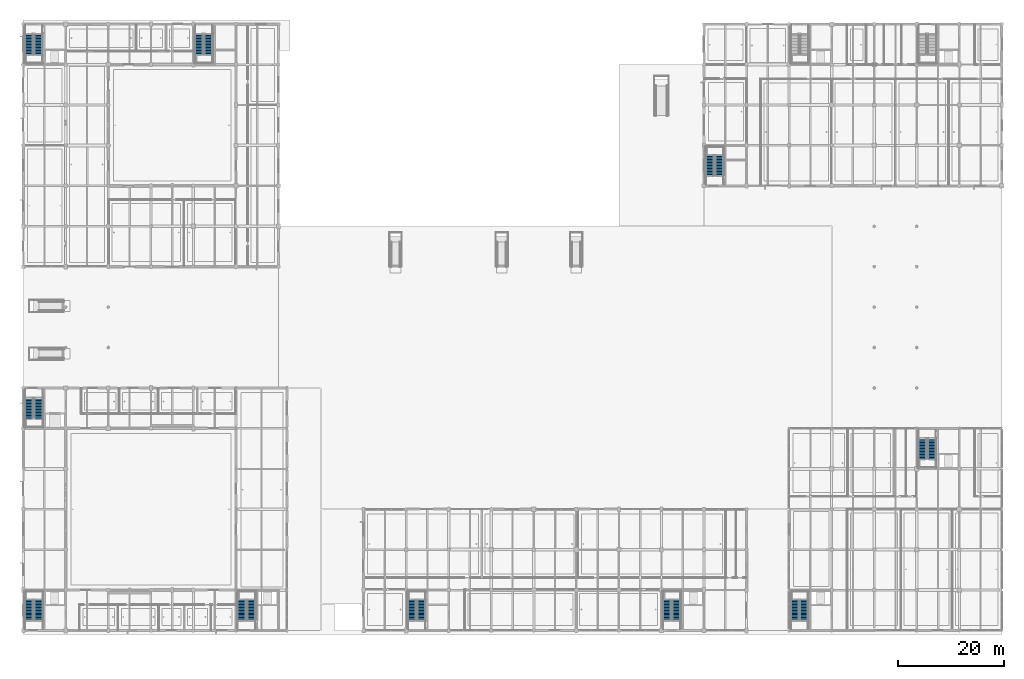
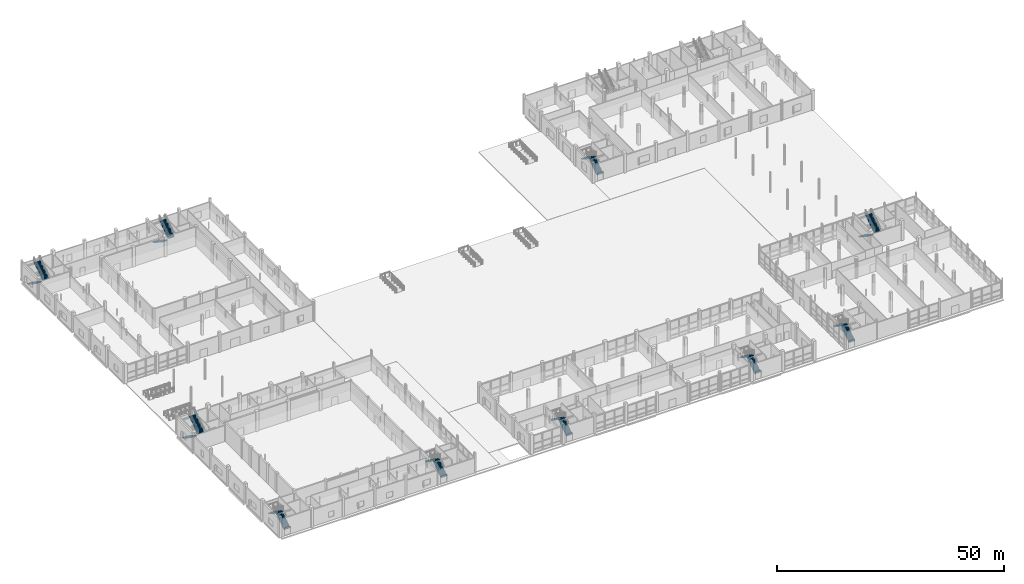
# One storey, part 72 of 126: 20 stair flights, 10 elements without a shape of their own.
"""IFC4 building model written with IfcOpenShell, lengths in metres."""

from ifc_helpers import new_model, si_unit, direction, frame, origin, place, context, subcontext, project, spatial, polyline, outline, extrude, material, type_object, element, aggregate, save


model = new_model("IFC4")

# Units and contexts
model_context = context("Model", 3, precision=1e-05, world=origin(), true_north=direction((0.0, 1.0)))
body_context = subcontext(model_context, "Body", "Model", "MODEL_VIEW")
ifc_project = project(units=[si_unit("LENGTHUNIT", "METRE"), si_unit("AREAUNIT", "SQUARE_METRE"), si_unit("VOLUMEUNIT", "CUBIC_METRE"), si_unit("PLANEANGLEUNIT", "RADIAN"), si_unit("MASSUNIT", "GRAM", prefix="KILO")], contexts=[model_context])

# Site, building, storey
site_placement = place(None, origin())
site = spatial("IfcSite", under=ifc_project, at=site_placement, CompositionType="ELEMENT")
building_placement = place(site_placement, origin())
building = spatial("IfcBuilding", under=site, at=building_placement, Name="Khelvaren Railside Concert Hall", CompositionType="ELEMENT")
storey_placement = place(building_placement, origin())
storey = spatial("IfcBuildingStorey", under=building, at=storey_placement, Name="L00", CompositionType="ELEMENT", Elevation=0.0)

# Stair, stair flights
ifc_material = material(Name="Concrete C40/50", Category="concrete")
stair_type_1 = type_object("IfcStairType", Name="ST11", PredefinedType="HALF_TURN_STAIR", material=ifc_material)
stair_1_placement = place(storey_placement, origin())
stair_1 = element("IfcStair", 1, at=stair_1_placement, inside=storey, type_object=stair_type_1, Name="L00 Core Exit Stair ST-03", PredefinedType="HALF_TURN_STAIR")
stair_flight_type_1 = type_object("IfcStairFlightType", Name="STF11", PredefinedType="STRAIGHT", material=ifc_material)
stair_flight_1_placement = place(storey_placement, frame((146.840087890625, 1.840087890625, 0.0), z_axis=(0.0, 0.0, 1.0), x_axis=(0.0, 1.0, 0.0)))
stair_flight_1 = element("IfcStairFlight", 2, at=stair_flight_1_placement, type_object=stair_flight_type_1, Name="ST-03 flight 1", NumberOfRisers=15, NumberOfTreads=14, PredefinedType="STRAIGHT", RiserHeight=0.18, TreadLength=0.28, context=body_context, shape_type="SweptSolid", body=[
    extrude(outline(polyline([(0.0, 0.0), (0.0, 0.179931640625), (0.280029296875, 0.179931640625), (0.280029296875, 0.360107421875), (0.56005859375, 0.360107421875), (0.56005859375, 0.5400390625), (0.840087890625, 0.5400390625), (0.840087890625, 0.719970703125), (1.1201171875, 0.719970703125), (1.1201171875, 0.89990234375), (1.39990234375, 0.89990234375), (1.39990234375, 1.080078125), (1.679931640625, 1.080078125), (1.679931640625, 1.260009765625), (1.9599609375, 1.260009765625), (1.9599609375, 1.43994140625), (2.239990234375, 1.43994140625), (2.239990234375, 1.6201171875), (2.52001953125, 1.6201171875), (2.52001953125, 1.800048828125), (2.800048828125, 1.800048828125), (2.800048828125, 1.97998046875), (3.080078125, 1.97998046875), (3.080078125, 2.159912109375), (3.360107421875, 2.159912109375), (3.360107421875, 2.340087890625), (3.639892578125, 2.340087890625), (3.639892578125, 2.52001953125), (3.919921875, 2.52001953125), (3.919921875, 2.699951171875), (3.919921875, 2.341796875), (0.277099609375, 0.0), (0.0, 0.0)])), frame((0.0, 0.780029296875, 0.0), z_axis=(0.0, -1.0, 0.0), x_axis=(1.0, 0.0, 0.0)), (0.0, 0.0, 1.0), 1.56005859375),
])
stair_flight_2_placement = place(storey_placement, frame((145.080078125, 5.760009765625, 2.699951171875), z_axis=(0.0, 0.0, 1.0), x_axis=(0.0, -1.0, 0.0)))
stair_flight_2 = element("IfcStairFlight", 3, at=stair_flight_2_placement, type_object=stair_flight_type_1, Name="ST-03 flight 2", NumberOfRisers=15, NumberOfTreads=14, PredefinedType="STRAIGHT", RiserHeight=0.18, TreadLength=0.28, context=body_context, shape_type="SweptSolid", body=[
    extrude(outline(polyline([(0.0, 0.0), (0.0, 0.179931640625), (0.280029296875, 0.179931640625), (0.280029296875, 0.360107421875), (0.56005859375, 0.360107421875), (0.56005859375, 0.5400390625), (0.840087890625, 0.5400390625), (0.840087890625, 0.719970703125), (1.1201171875, 0.719970703125), (1.1201171875, 0.89990234375), (1.39990234375, 0.89990234375), (1.39990234375, 1.080078125), (1.679931640625, 1.080078125), (1.679931640625, 1.260009765625), (1.9599609375, 1.260009765625), (1.9599609375, 1.43994140625), (2.239990234375, 1.43994140625), (2.239990234375, 1.6201171875), (2.52001953125, 1.6201171875), (2.52001953125, 1.800048828125), (2.800048828125, 1.800048828125), (2.800048828125, 1.97998046875), (3.080078125, 1.97998046875), (3.080078125, 2.159912109375), (3.360107421875, 2.159912109375), (3.360107421875, 2.340087890625), (3.639892578125, 2.340087890625), (3.639892578125, 2.52001953125), (3.919921875, 2.52001953125), (3.919921875, 2.699951171875), (3.919921875, 2.341796875), (0.277099609375, 0.0), (0.0, 0.0)])), frame((0.0, 0.780029296875, 0.0), z_axis=(0.0, -1.0, 0.0), x_axis=(1.0, 0.0, 0.0)), (0.0, 0.0, 1.0), 1.56005859375),
])
aggregate(stair_1, [stair_flight_1, stair_flight_2])

stair_2_placement = place(storey_placement, origin())
stair_2 = element("IfcStair", 4, at=stair_2_placement, inside=storey, type_object=stair_type_1, Name="L00 Core Exit Stair ST-04", PredefinedType="HALF_TURN_STAIR")
stair_flight_3_placement = place(storey_placement, frame((169.080078125, 36.159912109375, 0.0), z_axis=(0.0, 0.0, 1.0), x_axis=(0.0, -1.0, 0.0)))
stair_flight_3 = element("IfcStairFlight", 5, at=stair_flight_3_placement, type_object=stair_flight_type_1, Name="ST-04 flight 1", NumberOfRisers=15, NumberOfTreads=14, PredefinedType="STRAIGHT", RiserHeight=0.18, TreadLength=0.28, context=body_context, shape_type="SweptSolid", body=[
    extrude(outline(polyline([(0.0, 0.0), (0.0, 0.179931640625), (0.280029296875, 0.179931640625), (0.280029296875, 0.360107421875), (0.56005859375, 0.360107421875), (0.56005859375, 0.5400390625), (0.840087890625, 0.5400390625), (0.840087890625, 0.719970703125), (1.1201171875, 0.719970703125), (1.1201171875, 0.89990234375), (1.39990234375, 0.89990234375), (1.39990234375, 1.080078125), (1.679931640625, 1.080078125), (1.679931640625, 1.260009765625), (1.9599609375, 1.260009765625), (1.9599609375, 1.43994140625), (2.239990234375, 1.43994140625), (2.239990234375, 1.6201171875), (2.52001953125, 1.6201171875), (2.52001953125, 1.800048828125), (2.800048828125, 1.800048828125), (2.800048828125, 1.97998046875), (3.080078125, 1.97998046875), (3.080078125, 2.159912109375), (3.360107421875, 2.159912109375), (3.360107421875, 2.340087890625), (3.639892578125, 2.340087890625), (3.639892578125, 2.52001953125), (3.919921875, 2.52001953125), (3.919921875, 2.699951171875), (3.919921875, 2.341796875), (0.277099609375, 0.0), (0.0, 0.0)])), frame((0.0, 0.780029296875, 0.0), z_axis=(0.0, -1.0, 0.0), x_axis=(1.0, 0.0, 0.0)), (0.0, 0.0, 1.0), 1.56005859375),
])
stair_flight_4_placement = place(storey_placement, frame((170.840087890625, 32.239990234375, 2.699951171875), z_axis=(0.0, 0.0, 1.0), x_axis=(0.0, 1.0, 0.0)))
stair_flight_4 = element("IfcStairFlight", 6, at=stair_flight_4_placement, type_object=stair_flight_type_1, Name="ST-04 flight 2", NumberOfRisers=15, NumberOfTreads=14, PredefinedType="STRAIGHT", RiserHeight=0.18, TreadLength=0.28, context=body_context, shape_type="SweptSolid", body=[
    extrude(outline(polyline([(0.0, 0.0), (0.0, 0.179931640625), (0.280029296875, 0.179931640625), (0.280029296875, 0.360107421875), (0.56005859375, 0.360107421875), (0.56005859375, 0.5400390625), (0.840087890625, 0.5400390625), (0.840087890625, 0.719970703125), (1.1201171875, 0.719970703125), (1.1201171875, 0.89990234375), (1.39990234375, 0.89990234375), (1.39990234375, 1.080078125), (1.679931640625, 1.080078125), (1.679931640625, 1.260009765625), (1.9599609375, 1.260009765625), (1.9599609375, 1.43994140625), (2.239990234375, 1.43994140625), (2.239990234375, 1.6201171875), (2.52001953125, 1.6201171875), (2.52001953125, 1.800048828125), (2.800048828125, 1.800048828125), (2.800048828125, 1.97998046875), (3.080078125, 1.97998046875), (3.080078125, 2.159912109375), (3.360107421875, 2.159912109375), (3.360107421875, 2.340087890625), (3.639892578125, 2.340087890625), (3.639892578125, 2.52001953125), (3.919921875, 2.52001953125), (3.919921875, 2.699951171875), (3.919921875, 2.341796875), (0.277099609375, 0.0), (0.0, 0.0)])), frame((0.0, 0.780029296875, 0.0), z_axis=(0.0, -1.0, 0.0), x_axis=(1.0, 0.0, 0.0)), (0.0, 0.0, 1.0), 1.56005859375),
])
aggregate(stair_2, [stair_flight_3, stair_flight_4])

stair_3_placement = place(storey_placement, origin())
stair_3 = element("IfcStair", 7, at=stair_3_placement, inside=storey, type_object=stair_type_1, Name="L00 Core Exit Stair ST-05", PredefinedType="HALF_TURN_STAIR")
stair_flight_5_placement = place(storey_placement, frame((74.840087890625, 1.840087890625, 0.0), z_axis=(0.0, 0.0, 1.0), x_axis=(0.0, 1.0, 0.0)))
stair_flight_5 = element("IfcStairFlight", 8, at=stair_flight_5_placement, type_object=stair_flight_type_1, Name="ST-05 flight 1", NumberOfRisers=15, NumberOfTreads=14, PredefinedType="STRAIGHT", RiserHeight=0.18, TreadLength=0.28, context=body_context, shape_type="SweptSolid", body=[
    extrude(outline(polyline([(0.0, 0.0), (0.0, 0.179931640625), (0.280029296875, 0.179931640625), (0.280029296875, 0.360107421875), (0.56005859375, 0.360107421875), (0.56005859375, 0.5400390625), (0.840087890625, 0.5400390625), (0.840087890625, 0.719970703125), (1.1201171875, 0.719970703125), (1.1201171875, 0.89990234375), (1.39990234375, 0.89990234375), (1.39990234375, 1.080078125), (1.679931640625, 1.080078125), (1.679931640625, 1.260009765625), (1.9599609375, 1.260009765625), (1.9599609375, 1.43994140625), (2.239990234375, 1.43994140625), (2.239990234375, 1.6201171875), (2.52001953125, 1.6201171875), (2.52001953125, 1.800048828125), (2.800048828125, 1.800048828125), (2.800048828125, 1.97998046875), (3.080078125, 1.97998046875), (3.080078125, 2.159912109375), (3.360107421875, 2.159912109375), (3.360107421875, 2.340087890625), (3.639892578125, 2.340087890625), (3.639892578125, 2.52001953125), (3.919921875, 2.52001953125), (3.919921875, 2.699951171875), (3.919921875, 2.341796875), (0.277099609375, 0.0), (0.0, 0.0)])), frame((0.0, 0.780029296875, 0.0), z_axis=(0.0, -1.0, 0.0), x_axis=(1.0, 0.0, 0.0)), (0.0, 0.0, 1.0), 1.56005859375),
])
stair_flight_6_placement = place(storey_placement, frame((73.080078125, 5.760009765625, 2.699951171875), z_axis=(0.0, 0.0, 1.0), x_axis=(0.0, -1.0, 0.0)))
stair_flight_6 = element("IfcStairFlight", 9, at=stair_flight_6_placement, type_object=stair_flight_type_1, Name="ST-05 flight 2", NumberOfRisers=15, NumberOfTreads=14, PredefinedType="STRAIGHT", RiserHeight=0.18, TreadLength=0.28, context=body_context, shape_type="SweptSolid", body=[
    extrude(outline(polyline([(0.0, 0.0), (0.0, 0.179931640625), (0.280029296875, 0.179931640625), (0.280029296875, 0.360107421875), (0.56005859375, 0.360107421875), (0.56005859375, 0.5400390625), (0.840087890625, 0.5400390625), (0.840087890625, 0.719970703125), (1.1201171875, 0.719970703125), (1.1201171875, 0.89990234375), (1.39990234375, 0.89990234375), (1.39990234375, 1.080078125), (1.679931640625, 1.080078125), (1.679931640625, 1.260009765625), (1.9599609375, 1.260009765625), (1.9599609375, 1.43994140625), (2.239990234375, 1.43994140625), (2.239990234375, 1.6201171875), (2.52001953125, 1.6201171875), (2.52001953125, 1.800048828125), (2.800048828125, 1.800048828125), (2.800048828125, 1.97998046875), (3.080078125, 1.97998046875), (3.080078125, 2.159912109375), (3.360107421875, 2.159912109375), (3.360107421875, 2.340087890625), (3.639892578125, 2.340087890625), (3.639892578125, 2.52001953125), (3.919921875, 2.52001953125), (3.919921875, 2.699951171875), (3.919921875, 2.341796875), (0.277099609375, 0.0), (0.0, 0.0)])), frame((0.0, 0.780029296875, 0.0), z_axis=(0.0, -1.0, 0.0), x_axis=(1.0, 0.0, 0.0)), (0.0, 0.0, 1.0), 1.56005859375),
])
aggregate(stair_3, [stair_flight_5, stair_flight_6])

stair_4_placement = place(storey_placement, origin())
stair_4 = element("IfcStair", 10, at=stair_4_placement, inside=storey, type_object=stair_type_1, Name="L00 Core Exit Stair ST-06", PredefinedType="HALF_TURN_STAIR")
stair_flight_7_placement = place(storey_placement, frame((122.840087890625, 1.840087890625, 0.0), z_axis=(0.0, 0.0, 1.0), x_axis=(0.0, 1.0, 0.0)))
stair_flight_7 = element("IfcStairFlight", 11, at=stair_flight_7_placement, type_object=stair_flight_type_1, Name="ST-06 flight 1", NumberOfRisers=15, NumberOfTreads=14, PredefinedType="STRAIGHT", RiserHeight=0.18, TreadLength=0.28, context=body_context, shape_type="SweptSolid", body=[
    extrude(outline(polyline([(0.0, 0.0), (0.0, 0.179931640625), (0.280029296875, 0.179931640625), (0.280029296875, 0.360107421875), (0.56005859375, 0.360107421875), (0.56005859375, 0.5400390625), (0.840087890625, 0.5400390625), (0.840087890625, 0.719970703125), (1.1201171875, 0.719970703125), (1.1201171875, 0.89990234375), (1.39990234375, 0.89990234375), (1.39990234375, 1.080078125), (1.679931640625, 1.080078125), (1.679931640625, 1.260009765625), (1.9599609375, 1.260009765625), (1.9599609375, 1.43994140625), (2.239990234375, 1.43994140625), (2.239990234375, 1.6201171875), (2.52001953125, 1.6201171875), (2.52001953125, 1.800048828125), (2.800048828125, 1.800048828125), (2.800048828125, 1.97998046875), (3.080078125, 1.97998046875), (3.080078125, 2.159912109375), (3.360107421875, 2.159912109375), (3.360107421875, 2.340087890625), (3.639892578125, 2.340087890625), (3.639892578125, 2.52001953125), (3.919921875, 2.52001953125), (3.919921875, 2.699951171875), (3.919921875, 2.341796875), (0.277099609375, 0.0), (0.0, 0.0)])), frame((0.0, 0.780029296875, 0.0), z_axis=(0.0, -1.0, 0.0), x_axis=(1.0, 0.0, 0.0)), (0.0, 0.0, 1.0), 1.56005859375),
])
stair_flight_8_placement = place(storey_placement, frame((121.080078125, 5.760009765625, 2.699951171875), z_axis=(0.0, 0.0, 1.0), x_axis=(0.0, -1.0, 0.0)))
stair_flight_8 = element("IfcStairFlight", 12, at=stair_flight_8_placement, type_object=stair_flight_type_1, Name="ST-06 flight 2", NumberOfRisers=15, NumberOfTreads=14, PredefinedType="STRAIGHT", RiserHeight=0.18, TreadLength=0.28, context=body_context, shape_type="SweptSolid", body=[
    extrude(outline(polyline([(0.0, 0.0), (0.0, 0.179931640625), (0.280029296875, 0.179931640625), (0.280029296875, 0.360107421875), (0.56005859375, 0.360107421875), (0.56005859375, 0.5400390625), (0.840087890625, 0.5400390625), (0.840087890625, 0.719970703125), (1.1201171875, 0.719970703125), (1.1201171875, 0.89990234375), (1.39990234375, 0.89990234375), (1.39990234375, 1.080078125), (1.679931640625, 1.080078125), (1.679931640625, 1.260009765625), (1.9599609375, 1.260009765625), (1.9599609375, 1.43994140625), (2.239990234375, 1.43994140625), (2.239990234375, 1.6201171875), (2.52001953125, 1.6201171875), (2.52001953125, 1.800048828125), (2.800048828125, 1.800048828125), (2.800048828125, 1.97998046875), (3.080078125, 1.97998046875), (3.080078125, 2.159912109375), (3.360107421875, 2.159912109375), (3.360107421875, 2.340087890625), (3.639892578125, 2.340087890625), (3.639892578125, 2.52001953125), (3.919921875, 2.52001953125), (3.919921875, 2.699951171875), (3.919921875, 2.341796875), (0.277099609375, 0.0), (0.0, 0.0)])), frame((0.0, 0.780029296875, 0.0), z_axis=(0.0, -1.0, 0.0), x_axis=(1.0, 0.0, 0.0)), (0.0, 0.0, 1.0), 1.56005859375),
])
aggregate(stair_4, [stair_flight_7, stair_flight_8])

stair_5_placement = place(storey_placement, origin())
stair_5 = element("IfcStair", 13, at=stair_5_placement, inside=storey, type_object=stair_type_1, Name="L00 Core Exit Stair ST-07", PredefinedType="HALF_TURN_STAIR")
stair_flight_9_placement = place(storey_placement, frame((1.080078125, 112.159912109375, 0.0), z_axis=(0.0, 0.0, 1.0), x_axis=(0.0, -1.0, 0.0)))
stair_flight_9 = element("IfcStairFlight", 14, at=stair_flight_9_placement, type_object=stair_flight_type_1, Name="ST-07 flight 1", NumberOfRisers=15, NumberOfTreads=14, PredefinedType="STRAIGHT", RiserHeight=0.18, TreadLength=0.28, context=body_context, shape_type="SweptSolid", body=[
    extrude(outline(polyline([(0.0, 0.0), (0.0, 0.179931640625), (0.280029296875, 0.179931640625), (0.280029296875, 0.360107421875), (0.56005859375, 0.360107421875), (0.56005859375, 0.5400390625), (0.840087890625, 0.5400390625), (0.840087890625, 0.719970703125), (1.1201171875, 0.719970703125), (1.1201171875, 0.89990234375), (1.39990234375, 0.89990234375), (1.39990234375, 1.080078125), (1.679931640625, 1.080078125), (1.679931640625, 1.260009765625), (1.9599609375, 1.260009765625), (1.9599609375, 1.43994140625), (2.239990234375, 1.43994140625), (2.239990234375, 1.6201171875), (2.52001953125, 1.6201171875), (2.52001953125, 1.800048828125), (2.800048828125, 1.800048828125), (2.800048828125, 1.97998046875), (3.080078125, 1.97998046875), (3.080078125, 2.159912109375), (3.360107421875, 2.159912109375), (3.360107421875, 2.340087890625), (3.639892578125, 2.340087890625), (3.639892578125, 2.52001953125), (3.919921875, 2.52001953125), (3.919921875, 2.699951171875), (3.919921875, 2.341796875), (0.277099609375, 0.0), (0.0, 0.0)])), frame((0.0, 0.780029296875, 0.0), z_axis=(0.0, -1.0, 0.0), x_axis=(1.0, 0.0, 0.0)), (0.0, 0.0, 1.0), 1.56005859375),
])
stair_flight_10_placement = place(storey_placement, frame((2.840087890625, 108.239990234375, 2.699951171875), z_axis=(0.0, 0.0, 1.0), x_axis=(0.0, 1.0, 0.0)))
stair_flight_10 = element("IfcStairFlight", 15, at=stair_flight_10_placement, type_object=stair_flight_type_1, Name="ST-07 flight 2", NumberOfRisers=15, NumberOfTreads=14, PredefinedType="STRAIGHT", RiserHeight=0.18, TreadLength=0.28, context=body_context, shape_type="SweptSolid", body=[
    extrude(outline(polyline([(0.0, 0.0), (0.0, 0.179931640625), (0.280029296875, 0.179931640625), (0.280029296875, 0.360107421875), (0.56005859375, 0.360107421875), (0.56005859375, 0.5400390625), (0.840087890625, 0.5400390625), (0.840087890625, 0.719970703125), (1.1201171875, 0.719970703125), (1.1201171875, 0.89990234375), (1.39990234375, 0.89990234375), (1.39990234375, 1.080078125), (1.679931640625, 1.080078125), (1.679931640625, 1.260009765625), (1.9599609375, 1.260009765625), (1.9599609375, 1.43994140625), (2.239990234375, 1.43994140625), (2.239990234375, 1.6201171875), (2.52001953125, 1.6201171875), (2.52001953125, 1.800048828125), (2.800048828125, 1.800048828125), (2.800048828125, 1.97998046875), (3.080078125, 1.97998046875), (3.080078125, 2.159912109375), (3.360107421875, 2.159912109375), (3.360107421875, 2.340087890625), (3.639892578125, 2.340087890625), (3.639892578125, 2.52001953125), (3.919921875, 2.52001953125), (3.919921875, 2.699951171875), (3.919921875, 2.341796875), (0.277099609375, 0.0), (0.0, 0.0)])), frame((0.0, 0.780029296875, 0.0), z_axis=(0.0, -1.0, 0.0), x_axis=(1.0, 0.0, 0.0)), (0.0, 0.0, 1.0), 1.56005859375),
])
aggregate(stair_5, [stair_flight_9, stair_flight_10])

stair_6_placement = place(storey_placement, origin())
stair_6 = element("IfcStair", 16, at=stair_6_placement, inside=storey, type_object=stair_type_1, Name="L00 Core Exit Stair ST-08", PredefinedType="HALF_TURN_STAIR")
stair_flight_11_placement = place(storey_placement, frame((33.080078125, 112.159912109375, 0.0), z_axis=(0.0, 0.0, 1.0), x_axis=(0.0, -1.0, 0.0)))
stair_flight_11 = element("IfcStairFlight", 17, at=stair_flight_11_placement, type_object=stair_flight_type_1, Name="ST-08 flight 1", NumberOfRisers=15, NumberOfTreads=14, PredefinedType="STRAIGHT", RiserHeight=0.18, TreadLength=0.28, context=body_context, shape_type="SweptSolid", body=[
    extrude(outline(polyline([(0.0, 0.0), (0.0, 0.179931640625), (0.280029296875, 0.179931640625), (0.280029296875, 0.360107421875), (0.56005859375, 0.360107421875), (0.56005859375, 0.5400390625), (0.840087890625, 0.5400390625), (0.840087890625, 0.719970703125), (1.1201171875, 0.719970703125), (1.1201171875, 0.89990234375), (1.39990234375, 0.89990234375), (1.39990234375, 1.080078125), (1.679931640625, 1.080078125), (1.679931640625, 1.260009765625), (1.9599609375, 1.260009765625), (1.9599609375, 1.43994140625), (2.239990234375, 1.43994140625), (2.239990234375, 1.6201171875), (2.52001953125, 1.6201171875), (2.52001953125, 1.800048828125), (2.800048828125, 1.800048828125), (2.800048828125, 1.97998046875), (3.080078125, 1.97998046875), (3.080078125, 2.159912109375), (3.360107421875, 2.159912109375), (3.360107421875, 2.340087890625), (3.639892578125, 2.340087890625), (3.639892578125, 2.52001953125), (3.919921875, 2.52001953125), (3.919921875, 2.699951171875), (3.919921875, 2.341796875), (0.277099609375, 0.0), (0.0, 0.0)])), frame((0.0, 0.780029296875, 0.0), z_axis=(0.0, -1.0, 0.0), x_axis=(1.0, 0.0, 0.0)), (0.0, 0.0, 1.0), 1.56005859375),
])
stair_flight_12_placement = place(storey_placement, frame((34.840087890625, 108.239990234375, 2.699951171875), z_axis=(0.0, 0.0, 1.0), x_axis=(0.0, 1.0, 0.0)))
stair_flight_12 = element("IfcStairFlight", 18, at=stair_flight_12_placement, type_object=stair_flight_type_1, Name="ST-08 flight 2", NumberOfRisers=15, NumberOfTreads=14, PredefinedType="STRAIGHT", RiserHeight=0.18, TreadLength=0.28, context=body_context, shape_type="SweptSolid", body=[
    extrude(outline(polyline([(0.0, 0.0), (0.0, 0.179931640625), (0.280029296875, 0.179931640625), (0.280029296875, 0.360107421875), (0.56005859375, 0.360107421875), (0.56005859375, 0.5400390625), (0.840087890625, 0.5400390625), (0.840087890625, 0.719970703125), (1.1201171875, 0.719970703125), (1.1201171875, 0.89990234375), (1.39990234375, 0.89990234375), (1.39990234375, 1.080078125), (1.679931640625, 1.080078125), (1.679931640625, 1.260009765625), (1.9599609375, 1.260009765625), (1.9599609375, 1.43994140625), (2.239990234375, 1.43994140625), (2.239990234375, 1.6201171875), (2.52001953125, 1.6201171875), (2.52001953125, 1.800048828125), (2.800048828125, 1.800048828125), (2.800048828125, 1.97998046875), (3.080078125, 1.97998046875), (3.080078125, 2.159912109375), (3.360107421875, 2.159912109375), (3.360107421875, 2.340087890625), (3.639892578125, 2.340087890625), (3.639892578125, 2.52001953125), (3.919921875, 2.52001953125), (3.919921875, 2.699951171875), (3.919921875, 2.341796875), (0.277099609375, 0.0), (0.0, 0.0)])), frame((0.0, 0.780029296875, 0.0), z_axis=(0.0, -1.0, 0.0), x_axis=(1.0, 0.0, 0.0)), (0.0, 0.0, 1.0), 1.56005859375),
])
aggregate(stair_6, [stair_flight_11, stair_flight_12])

stair_type_2 = type_object("IfcStairType", Name="ST31", PredefinedType="HALF_TURN_STAIR", material=ifc_material)
stair_7_placement = place(storey_placement, origin())
stair_7 = element("IfcStair", 19, at=stair_7_placement, inside=storey, type_object=stair_type_2, Name="L00 Core Exit Stair ST-01", PredefinedType="HALF_TURN_STAIR")
stair_flight_type_2 = type_object("IfcStairFlightType", Name="STF37", PredefinedType="STRAIGHT", material=ifc_material)
stair_flight_13_placement = place(storey_placement, frame((2.89990234375, 1.840087890625, 0.0), z_axis=(0.0, 0.0, 1.0), x_axis=(0.0, 1.0, 0.0)))
stair_flight_13 = element("IfcStairFlight", 20, at=stair_flight_13_placement, type_object=stair_flight_type_2, Name="ST-01 flight 1", NumberOfRisers=15, NumberOfTreads=14, PredefinedType="STRAIGHT", RiserHeight=0.18, TreadLength=0.28, context=body_context, shape_type="SweptSolid", body=[
    extrude(outline(polyline([(0.0, 0.0), (0.0, 0.179931640625), (0.280029296875, 0.179931640625), (0.280029296875, 0.360107421875), (0.56005859375, 0.360107421875), (0.56005859375, 0.5400390625), (0.840087890625, 0.5400390625), (0.840087890625, 0.719970703125), (1.1201171875, 0.719970703125), (1.1201171875, 0.89990234375), (1.39990234375, 0.89990234375), (1.39990234375, 1.080078125), (1.679931640625, 1.080078125), (1.679931640625, 1.260009765625), (1.9599609375, 1.260009765625), (1.9599609375, 1.43994140625), (2.239990234375, 1.43994140625), (2.239990234375, 1.6201171875), (2.52001953125, 1.6201171875), (2.52001953125, 1.800048828125), (2.800048828125, 1.800048828125), (2.800048828125, 1.97998046875), (3.080078125, 1.97998046875), (3.080078125, 2.159912109375), (3.360107421875, 2.159912109375), (3.360107421875, 2.340087890625), (3.639892578125, 2.340087890625), (3.639892578125, 2.52001953125), (3.919921875, 2.52001953125), (3.919921875, 2.699951171875), (3.919921875, 2.341796875), (0.277099609375, 0.0), (0.0, 0.0)])), frame((0.0, 0.800048828125, 0.0), z_axis=(0.0, -1.0, 0.0), x_axis=(1.0, 0.0, 0.0)), (0.0, 0.0, 1.0), 1.60009765625),
])
stair_flight_14_placement = place(storey_placement, frame((1.10009765625, 5.760009765625, 2.699951171875), z_axis=(0.0, 0.0, 1.0), x_axis=(0.0, -1.0, 0.0)))
stair_flight_14 = element("IfcStairFlight", 21, at=stair_flight_14_placement, type_object=stair_flight_type_2, Name="ST-01 flight 2", NumberOfRisers=15, NumberOfTreads=14, PredefinedType="STRAIGHT", RiserHeight=0.18, TreadLength=0.28, context=body_context, shape_type="SweptSolid", body=[
    extrude(outline(polyline([(0.0, 0.0), (0.0, 0.179931640625), (0.280029296875, 0.179931640625), (0.280029296875, 0.360107421875), (0.56005859375, 0.360107421875), (0.56005859375, 0.5400390625), (0.840087890625, 0.5400390625), (0.840087890625, 0.719970703125), (1.1201171875, 0.719970703125), (1.1201171875, 0.89990234375), (1.39990234375, 0.89990234375), (1.39990234375, 1.080078125), (1.679931640625, 1.080078125), (1.679931640625, 1.260009765625), (1.9599609375, 1.260009765625), (1.9599609375, 1.43994140625), (2.239990234375, 1.43994140625), (2.239990234375, 1.6201171875), (2.52001953125, 1.6201171875), (2.52001953125, 1.800048828125), (2.800048828125, 1.800048828125), (2.800048828125, 1.97998046875), (3.080078125, 1.97998046875), (3.080078125, 2.159912109375), (3.360107421875, 2.159912109375), (3.360107421875, 2.340087890625), (3.639892578125, 2.340087890625), (3.639892578125, 2.52001953125), (3.919921875, 2.52001953125), (3.919921875, 2.699951171875), (3.919921875, 2.341796875), (0.277099609375, 0.0), (0.0, 0.0)])), frame((0.0, 0.800048828125, 0.0), z_axis=(0.0, -1.0, 0.0), x_axis=(1.0, 0.0, 0.0)), (0.0, 0.0, 1.0), 1.60009765625),
])
aggregate(stair_7, [stair_flight_13, stair_flight_14])

stair_8_placement = place(storey_placement, origin())
stair_8 = element("IfcStair", 22, at=stair_8_placement, inside=storey, type_object=stair_type_2, Name="L00 Core Exit Stair ST-02", PredefinedType="HALF_TURN_STAIR")
stair_flight_15_placement = place(storey_placement, frame((42.89990234375, 1.840087890625, 0.0), z_axis=(0.0, 0.0, 1.0), x_axis=(0.0, 1.0, 0.0)))
stair_flight_15 = element("IfcStairFlight", 23, at=stair_flight_15_placement, type_object=stair_flight_type_2, Name="ST-02 flight 1", NumberOfRisers=15, NumberOfTreads=14, PredefinedType="STRAIGHT", RiserHeight=0.18, TreadLength=0.28, context=body_context, shape_type="SweptSolid", body=[
    extrude(outline(polyline([(0.0, 0.0), (0.0, 0.179931640625), (0.280029296875, 0.179931640625), (0.280029296875, 0.360107421875), (0.56005859375, 0.360107421875), (0.56005859375, 0.5400390625), (0.840087890625, 0.5400390625), (0.840087890625, 0.719970703125), (1.1201171875, 0.719970703125), (1.1201171875, 0.89990234375), (1.39990234375, 0.89990234375), (1.39990234375, 1.080078125), (1.679931640625, 1.080078125), (1.679931640625, 1.260009765625), (1.9599609375, 1.260009765625), (1.9599609375, 1.43994140625), (2.239990234375, 1.43994140625), (2.239990234375, 1.6201171875), (2.52001953125, 1.6201171875), (2.52001953125, 1.800048828125), (2.800048828125, 1.800048828125), (2.800048828125, 1.97998046875), (3.080078125, 1.97998046875), (3.080078125, 2.159912109375), (3.360107421875, 2.159912109375), (3.360107421875, 2.340087890625), (3.639892578125, 2.340087890625), (3.639892578125, 2.52001953125), (3.919921875, 2.52001953125), (3.919921875, 2.699951171875), (3.919921875, 2.341796875), (0.277099609375, 0.0), (0.0, 0.0)])), frame((0.0, 0.800048828125, 0.0), z_axis=(0.0, -1.0, 0.0), x_axis=(1.0, 0.0, 0.0)), (0.0, 0.0, 1.0), 1.60009765625),
])
stair_flight_16_placement = place(storey_placement, frame((41.10009765625, 5.760009765625, 2.699951171875), z_axis=(0.0, 0.0, 1.0), x_axis=(0.0, -1.0, 0.0)))
stair_flight_16 = element("IfcStairFlight", 24, at=stair_flight_16_placement, type_object=stair_flight_type_2, Name="ST-02 flight 2", NumberOfRisers=15, NumberOfTreads=14, PredefinedType="STRAIGHT", RiserHeight=0.18, TreadLength=0.28, context=body_context, shape_type="SweptSolid", body=[
    extrude(outline(polyline([(0.0, 0.0), (0.0, 0.179931640625), (0.280029296875, 0.179931640625), (0.280029296875, 0.360107421875), (0.56005859375, 0.360107421875), (0.56005859375, 0.5400390625), (0.840087890625, 0.5400390625), (0.840087890625, 0.719970703125), (1.1201171875, 0.719970703125), (1.1201171875, 0.89990234375), (1.39990234375, 0.89990234375), (1.39990234375, 1.080078125), (1.679931640625, 1.080078125), (1.679931640625, 1.260009765625), (1.9599609375, 1.260009765625), (1.9599609375, 1.43994140625), (2.239990234375, 1.43994140625), (2.239990234375, 1.6201171875), (2.52001953125, 1.6201171875), (2.52001953125, 1.800048828125), (2.800048828125, 1.800048828125), (2.800048828125, 1.97998046875), (3.080078125, 1.97998046875), (3.080078125, 2.159912109375), (3.360107421875, 2.159912109375), (3.360107421875, 2.340087890625), (3.639892578125, 2.340087890625), (3.639892578125, 2.52001953125), (3.919921875, 2.52001953125), (3.919921875, 2.699951171875), (3.919921875, 2.341796875), (0.277099609375, 0.0), (0.0, 0.0)])), frame((0.0, 0.800048828125, 0.0), z_axis=(0.0, -1.0, 0.0), x_axis=(1.0, 0.0, 0.0)), (0.0, 0.0, 1.0), 1.60009765625),
])
aggregate(stair_8, [stair_flight_15, stair_flight_16])

stair_9_placement = place(storey_placement, origin())
stair_9 = element("IfcStair", 25, at=stair_9_placement, inside=storey, type_object=stair_type_2, Name="L00 Core Exit Stair ST-11", PredefinedType="HALF_TURN_STAIR")
stair_flight_17_placement = place(storey_placement, frame((1.10009765625, 43.760009765625, 0.0), z_axis=(0.0, 0.0, 1.0), x_axis=(0.0, -1.0, 0.0)))
stair_flight_17 = element("IfcStairFlight", 26, at=stair_flight_17_placement, type_object=stair_flight_type_2, Name="ST-11 flight 1", NumberOfRisers=15, NumberOfTreads=14, PredefinedType="STRAIGHT", RiserHeight=0.18, TreadLength=0.28, context=body_context, shape_type="SweptSolid", body=[
    extrude(outline(polyline([(0.0, 0.0), (0.0, 0.179931640625), (0.280029296875, 0.179931640625), (0.280029296875, 0.360107421875), (0.56005859375, 0.360107421875), (0.56005859375, 0.5400390625), (0.840087890625, 0.5400390625), (0.840087890625, 0.719970703125), (1.1201171875, 0.719970703125), (1.1201171875, 0.89990234375), (1.39990234375, 0.89990234375), (1.39990234375, 1.080078125), (1.679931640625, 1.080078125), (1.679931640625, 1.260009765625), (1.9599609375, 1.260009765625), (1.9599609375, 1.43994140625), (2.239990234375, 1.43994140625), (2.239990234375, 1.6201171875), (2.52001953125, 1.6201171875), (2.52001953125, 1.800048828125), (2.800048828125, 1.800048828125), (2.800048828125, 1.97998046875), (3.080078125, 1.97998046875), (3.080078125, 2.159912109375), (3.360107421875, 2.159912109375), (3.360107421875, 2.340087890625), (3.639892578125, 2.340087890625), (3.639892578125, 2.52001953125), (3.919921875, 2.52001953125), (3.919921875, 2.699951171875), (3.919921875, 2.341796875), (0.277099609375, 0.0), (0.0, 0.0)])), frame((0.0, 0.800048828125, 0.0), z_axis=(0.0, -1.0, 0.0), x_axis=(1.0, 0.0, 0.0)), (0.0, 0.0, 1.0), 1.60009765625),
])
stair_flight_18_placement = place(storey_placement, frame((2.89990234375, 39.840087890625, 2.699951171875), z_axis=(0.0, 0.0, 1.0), x_axis=(0.0, 1.0, 0.0)))
stair_flight_18 = element("IfcStairFlight", 27, at=stair_flight_18_placement, type_object=stair_flight_type_2, Name="ST-11 flight 2", NumberOfRisers=15, NumberOfTreads=14, PredefinedType="STRAIGHT", RiserHeight=0.18, TreadLength=0.28, context=body_context, shape_type="SweptSolid", body=[
    extrude(outline(polyline([(0.0, 0.0), (0.0, 0.179931640625), (0.280029296875, 0.179931640625), (0.280029296875, 0.360107421875), (0.56005859375, 0.360107421875), (0.56005859375, 0.5400390625), (0.840087890625, 0.5400390625), (0.840087890625, 0.719970703125), (1.1201171875, 0.719970703125), (1.1201171875, 0.89990234375), (1.39990234375, 0.89990234375), (1.39990234375, 1.080078125), (1.679931640625, 1.080078125), (1.679931640625, 1.260009765625), (1.9599609375, 1.260009765625), (1.9599609375, 1.43994140625), (2.239990234375, 1.43994140625), (2.239990234375, 1.6201171875), (2.52001953125, 1.6201171875), (2.52001953125, 1.800048828125), (2.800048828125, 1.800048828125), (2.800048828125, 1.97998046875), (3.080078125, 1.97998046875), (3.080078125, 2.159912109375), (3.360107421875, 2.159912109375), (3.360107421875, 2.340087890625), (3.639892578125, 2.340087890625), (3.639892578125, 2.52001953125), (3.919921875, 2.52001953125), (3.919921875, 2.699951171875), (3.919921875, 2.341796875), (0.277099609375, 0.0), (0.0, 0.0)])), frame((0.0, 0.800048828125, 0.0), z_axis=(0.0, -1.0, 0.0), x_axis=(1.0, 0.0, 0.0)), (0.0, 0.0, 1.0), 1.60009765625),
])
aggregate(stair_9, [stair_flight_17, stair_flight_18])

stair_10_placement = place(storey_placement, origin())
stair_10 = element("IfcStair", 28, at=stair_10_placement, inside=storey, type_object=stair_type_2, Name="L00 Core Exit Stair ST-12", PredefinedType="HALF_TURN_STAIR")
stair_flight_19_placement = place(storey_placement, frame((130.89990234375, 85.43994140625, 0.0), z_axis=(0.0, 0.0, 1.0), x_axis=(0.0, 1.0, 0.0)))
stair_flight_19 = element("IfcStairFlight", 29, at=stair_flight_19_placement, type_object=stair_flight_type_2, Name="ST-12 flight 1", NumberOfRisers=15, NumberOfTreads=14, PredefinedType="STRAIGHT", RiserHeight=0.18, TreadLength=0.28, context=body_context, shape_type="SweptSolid", body=[
    extrude(outline(polyline([(0.0, 0.0), (0.0, 0.179931640625), (0.280029296875, 0.179931640625), (0.280029296875, 0.360107421875), (0.56005859375, 0.360107421875), (0.56005859375, 0.5400390625), (0.840087890625, 0.5400390625), (0.840087890625, 0.719970703125), (1.1201171875, 0.719970703125), (1.1201171875, 0.89990234375), (1.39990234375, 0.89990234375), (1.39990234375, 1.080078125), (1.679931640625, 1.080078125), (1.679931640625, 1.260009765625), (1.9599609375, 1.260009765625), (1.9599609375, 1.43994140625), (2.239990234375, 1.43994140625), (2.239990234375, 1.6201171875), (2.52001953125, 1.6201171875), (2.52001953125, 1.800048828125), (2.800048828125, 1.800048828125), (2.800048828125, 1.97998046875), (3.080078125, 1.97998046875), (3.080078125, 2.159912109375), (3.360107421875, 2.159912109375), (3.360107421875, 2.340087890625), (3.639892578125, 2.340087890625), (3.639892578125, 2.52001953125), (3.919921875, 2.52001953125), (3.919921875, 2.699951171875), (3.919921875, 2.341796875), (0.277099609375, 0.0), (0.0, 0.0)])), frame((0.0, 0.800048828125, 0.0), z_axis=(0.0, -1.0, 0.0), x_axis=(1.0, 0.0, 0.0)), (0.0, 0.0, 1.0), 1.60009765625),
])
stair_flight_20_placement = place(storey_placement, frame((129.10009765625, 89.360107421875, 2.699951171875), z_axis=(0.0, 0.0, 1.0), x_axis=(0.0, -1.0, 0.0)))
stair_flight_20 = element("IfcStairFlight", 30, at=stair_flight_20_placement, type_object=stair_flight_type_2, Name="ST-12 flight 2", NumberOfRisers=15, NumberOfTreads=14, PredefinedType="STRAIGHT", RiserHeight=0.18, TreadLength=0.28, context=body_context, shape_type="SweptSolid", body=[
    extrude(outline(polyline([(0.0, 0.0), (0.0, 0.179931640625), (0.280029296875, 0.179931640625), (0.280029296875, 0.360107421875), (0.56005859375, 0.360107421875), (0.56005859375, 0.5400390625), (0.840087890625, 0.5400390625), (0.840087890625, 0.719970703125), (1.1201171875, 0.719970703125), (1.1201171875, 0.89990234375), (1.39990234375, 0.89990234375), (1.39990234375, 1.080078125), (1.679931640625, 1.080078125), (1.679931640625, 1.260009765625), (1.9599609375, 1.260009765625), (1.9599609375, 1.43994140625), (2.239990234375, 1.43994140625), (2.239990234375, 1.6201171875), (2.52001953125, 1.6201171875), (2.52001953125, 1.800048828125), (2.800048828125, 1.800048828125), (2.800048828125, 1.97998046875), (3.080078125, 1.97998046875), (3.080078125, 2.159912109375), (3.360107421875, 2.159912109375), (3.360107421875, 2.340087890625), (3.639892578125, 2.340087890625), (3.639892578125, 2.52001953125), (3.919921875, 2.52001953125), (3.919921875, 2.699951171875), (3.919921875, 2.341796875), (0.277099609375, 0.0), (0.0, 0.0)])), frame((0.0, 0.800048828125, 0.0), z_axis=(0.0, -1.0, 0.0), x_axis=(1.0, 0.0, 0.0)), (0.0, 0.0, 1.0), 1.60009765625),
])
aggregate(stair_10, [stair_flight_19, stair_flight_20])

save(model, "model.ifc")
